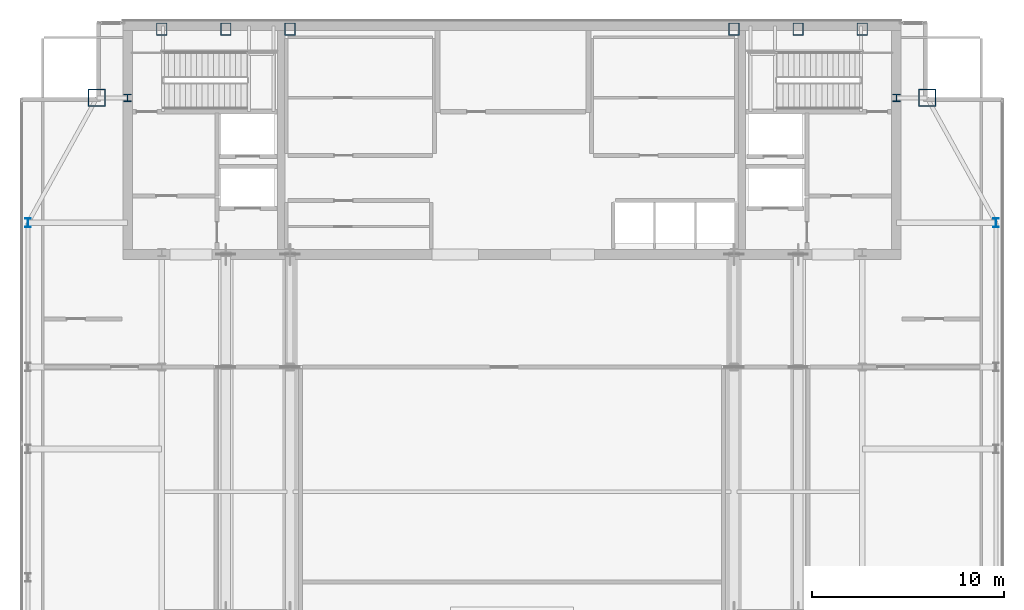
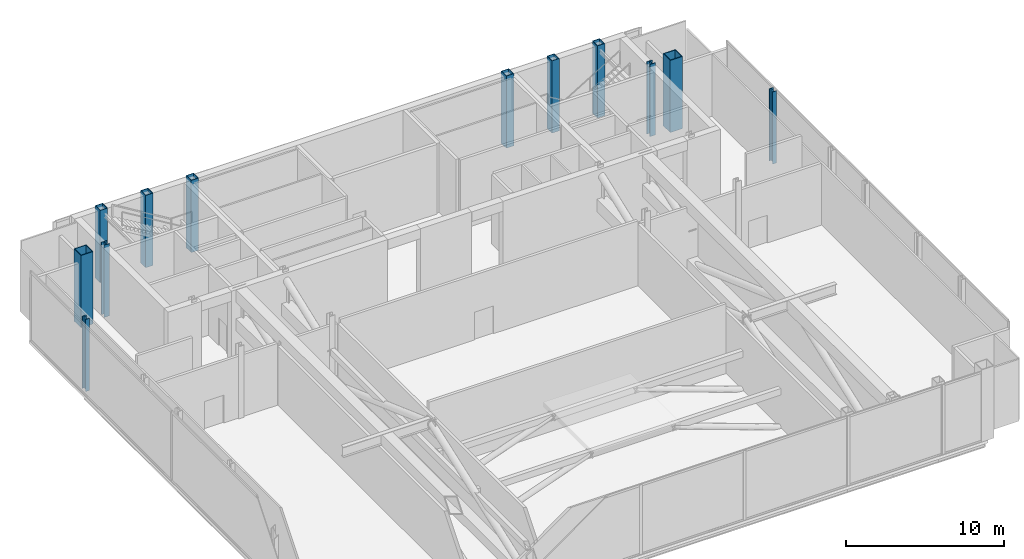
# One storey, part 3 of 26: 12 columns.
"""IFC4 building model written with IfcOpenShell, lengths in metres."""

from ifc_helpers import new_model, si_unit, direction, frame, origin, origin_2d, place, context, subcontext, project, spatial, hollow_rectangle, i_section, extrude, material, material_profile, profile_set, type_object, element, save


model = new_model("IFC4")

# Units and contexts
model_context = context("Model", 3, precision=1e-05, world=origin(), true_north=direction((0.0, 1.0)))
body_context = subcontext(model_context, "Body", "Model", "MODEL_VIEW")
ifc_project = project(units=[si_unit("LENGTHUNIT", "METRE"), si_unit("AREAUNIT", "SQUARE_METRE"), si_unit("VOLUMEUNIT", "CUBIC_METRE"), si_unit("PLANEANGLEUNIT", "RADIAN"), si_unit("MASSUNIT", "GRAM", prefix="KILO")], contexts=[model_context])

# Site, building, storey
site_placement = place(None, origin())
site = spatial("IfcSite", under=ifc_project, at=site_placement, CompositionType="ELEMENT")
building_placement = place(site_placement, origin())
building = spatial("IfcBuilding", under=site, at=building_placement, Name="Khoronbel Lancet Exchange", CompositionType="ELEMENT")
storey_placement = place(building_placement, frame((0.0, 0.0, 350.60009765625)))
storey = spatial("IfcBuildingStorey", under=building, at=storey_placement, Name="L91", CompositionType="ELEMENT", Elevation=350.60009765625)

# Columns
ifc_material_1 = material(Name="Steel S460", Category="steel")
ifc_material_profile_1 = material_profile(ifc_material_1, hollow_rectangle(XDim=0.550048828125, YDim=0.64990234375, WallThickness=0.0400390625, at=origin_2d()), Name="BOX 650x550x40")
ifc_profile_set_1 = profile_set([ifc_material_profile_1], Name="Steel S460")
column_type_1 = type_object("IfcColumnType", Name="COL-EC4", PredefinedType="COLUMN", material=ifc_profile_set_1)
for number, where, z_axis, x_axis, name in (
    (1, (18.22509765625, 53.280029296875, 0.0), (0.0, 0.0, 1.0), (1.0, 0.0, 0.0), "Structural column NC-W1 L91"),
    (2, (21.5625, 53.280029296875, 0.0), (0.0, 0.0, 1.0), (1.0, 0.0, 0.0), "Structural column NC-WM L91"),
    (3, (24.89990234375, 53.280029296875, 0.0), (0.0, 0.0, 1.0), (1.0, 0.0, 0.0), "Structural column NC-W2 L91"),
    (4, (48.0, 53.280029296875, 0.0), (0.0, 0.0, 1.0), (1.0, 0.0, 0.0), "Structural column NC-E1 L91"),
    (5, (51.33740234375, 53.280029296875, 0.0), (0.0, 0.0, 1.0), (1.0, 0.0, 0.0), "Structural column NC-EM L91"),
    (6, (54.675048828125, 53.280029296875, 0.0), (0.0, 0.0, 1.0), (1.0, 0.0, 0.0), "Structural column NC-E2 L91"),
):
    element("IfcColumn", number, at=place(storey_placement, frame(where, z_axis=z_axis, x_axis=x_axis)), inside=storey, type_object=column_type_1, Name=name, PredefinedType="COLUMN", context=body_context, shape_type="SweptSolid", body=[
        extrude(hollow_rectangle(XDim=0.550048828125, YDim=0.64990234375, WallThickness=0.0400390625, at=origin_2d()), origin(), (0.0, 0.0, 1.0), 5.599853515625),
    ])
ifc_material_2 = material(Name="Steel S355", Category="steel")
ifc_material_profile_2 = material_profile(ifc_material_2, i_section(OverallWidth=0.39892578125, OverallDepth=0.39306640625, WebThickness=0.022705078125, FlangeThickness=0.03662109375, at=origin_2d()), Name="HD 400x287")
ifc_profile_set_2 = profile_set([ifc_material_profile_2], Name="Steel S355")
column_type_2 = type_object("IfcColumnType", Name="COL-IC4", PredefinedType="COLUMN", material=ifc_profile_set_2)
for number, where, z_axis, x_axis, name in (
    (7, (16.449951171875, 49.699951171875, 0.0), (0.0, 0.0, 1.0), (1.0, 0.0, 0.0), "Core-flank plumb transfer column CFW L91"),
    (8, (56.449951171875, 49.699951171875, 0.0), (0.0, 0.0, 1.0), (1.0, 0.0, 0.0), "Core-flank plumb transfer column CFE L91"),
):
    element("IfcColumn", number, at=place(storey_placement, frame(where, z_axis=z_axis, x_axis=x_axis)), inside=storey, type_object=column_type_2, Name=name, PredefinedType="COLUMN", context=body_context, shape_type="SweptSolid", body=[
        extrude(i_section(OverallWidth=0.39892578125, OverallDepth=0.39306640625, WebThickness=0.022705078125, FlangeThickness=0.03662109375, at=origin_2d()), origin(), (0.0, 0.0, 1.0), 5.599853515625),
    ])
ifc_material_profile_3 = material_profile(ifc_material_2, i_section(OverallWidth=0.300048828125, OverallDepth=0.449951171875, WebThickness=0.013916015625, FlangeThickness=0.02587890625, at=origin_2d()), Name="HEB 450")
ifc_profile_set_3 = profile_set([ifc_material_profile_3], Name="Steel S355")
column_type_3 = type_object("IfcColumnType", Name="COL-LC2", PredefinedType="COLUMN", material=ifc_profile_set_3)
for number, where, z_axis, x_axis, name in (
    (9, (11.27001953125, 43.199951171875, 0.0), (0.0, 0.0, 1.0), (1.0, 0.0, 0.0), "Structural column WC-4 L91"),
    (10, (61.6298828125, 43.199951171875, 0.0), (0.0, 0.0, 1.0), (1.0, 0.0, 0.0), "Structural column EC-4 L91"),
):
    element("IfcColumn", number, at=place(storey_placement, frame(where, z_axis=z_axis, x_axis=x_axis)), inside=storey, type_object=column_type_3, Name=name, PredefinedType="COLUMN", context=body_context, shape_type="SweptSolid", body=[
        extrude(i_section(OverallWidth=0.300048828125, OverallDepth=0.449951171875, WebThickness=0.013916015625, FlangeThickness=0.02587890625, at=origin_2d()), origin(), (0.0, 0.0, 1.0), 5.599853515625),
    ])
ifc_material_profile_4 = material_profile(ifc_material_1, hollow_rectangle(XDim=0.89990234375, YDim=0.89990234375, WallThickness=0.050048828125, at=origin_2d()), Name="BOX 900x900x50")
ifc_profile_set_4 = profile_set([ifc_material_profile_4], Name="Steel S460")
column_type_4 = type_object("IfcColumnType", Name="COL-MC7", PredefinedType="COLUMN", material=ifc_profile_set_4)
for number, where, z_axis, x_axis, name in (
    (11, (58.050048828125, 49.699951171875, 0.0), (0.0, 0.0, 1.0), (1.0, 0.0, 0.0), "Structural column MC-NE L91"),
    (12, (14.85009765625, 49.699951171875, 0.0), (0.0, 0.0, 1.0), (1.0, 0.0, 0.0), "Structural column MC-NW L91"),
):
    element("IfcColumn", number, at=place(storey_placement, frame(where, z_axis=z_axis, x_axis=x_axis)), inside=storey, type_object=column_type_4, Name=name, PredefinedType="COLUMN", context=body_context, shape_type="SweptSolid", body=[
        extrude(hollow_rectangle(XDim=0.89990234375, YDim=0.89990234375, WallThickness=0.050048828125, at=origin_2d()), origin(), (0.0, 0.0, 1.0), 5.599853515625),
    ])

save(model, "model.ifc")
